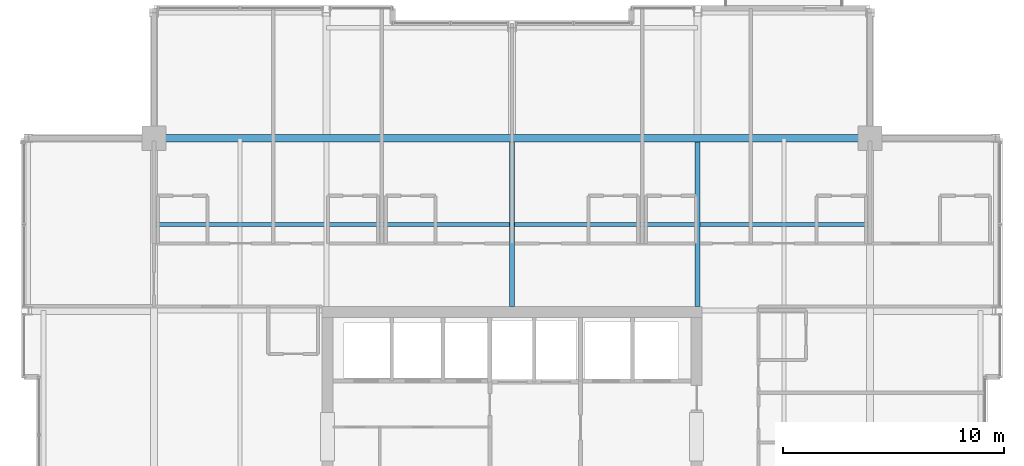
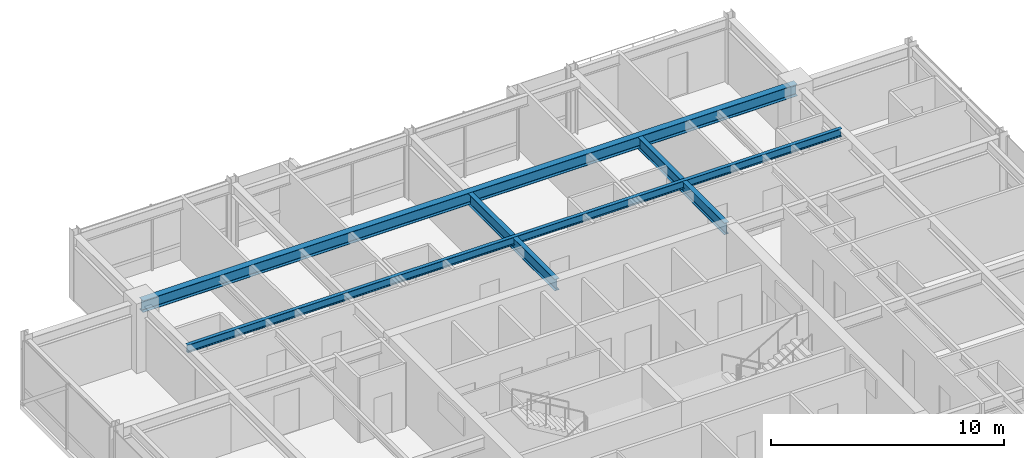
# One storey, part 22 of 33: 4 beams.
"""IFC4 building model written with IfcOpenShell, lengths in metres."""

from ifc_helpers import new_model, si_unit, direction, frame, origin, origin_2d, place, context, subcontext, project, spatial, i_section, extrude, material, material_profile, profile_set, type_object, element, save


model = new_model("IFC4")

# Units and contexts
model_context = context("Model", 3, precision=1e-05, world=origin(), true_north=direction((0.0, 1.0)))
body_context = subcontext(model_context, "Body", "Model", "MODEL_VIEW")
ifc_project = project(units=[si_unit("LENGTHUNIT", "METRE"), si_unit("AREAUNIT", "SQUARE_METRE"), si_unit("VOLUMEUNIT", "CUBIC_METRE"), si_unit("PLANEANGLEUNIT", "RADIAN"), si_unit("MASSUNIT", "GRAM", prefix="KILO")], contexts=[model_context])

# Site, building, storey
site_placement = place(None, origin())
site = spatial("IfcSite", under=ifc_project, at=site_placement, CompositionType="ELEMENT")
building_placement = place(site_placement, origin())
building = spatial("IfcBuilding", under=site, at=building_placement, Name="Drelvath Grand Hotel", CompositionType="ELEMENT")
storey_placement = place(building_placement, frame((0.0, 0.0, 268.64990234375)))
storey = spatial("IfcBuildingStorey", under=building, at=storey_placement, Name="L70", CompositionType="ELEMENT", Elevation=268.64990234375)

# Beams
ifc_material = material(Name="Steel ASTM A992 Gr 50", Category="steel")
ifc_material_profile_1 = material_profile(ifc_material, i_section(OverallWidth=0.177734375, OverallDepth=0.40673828125, WebThickness=0.0078125, FlangeThickness=0.0126953125, FilletRadius=0.014892578125, at=origin_2d()), Name="W16X40")
ifc_profile_set_1 = profile_set([ifc_material_profile_1], Name="Steel ASTM A992 Gr 50")
beam_type_1 = type_object("IfcBeamType", Name="Composite Floor Joist W16X40", PredefinedType="JOIST", material=ifc_profile_set_1)
beam_1_placement = place(storey_placement, frame((-16.199951171875, 39.300048828125, 3.186767578125), z_axis=(1.0, 0.0, 0.0), x_axis=(0.0, 1.0, 0.0)))
element("IfcBeam", 1, at=beam_1_placement, inside=storey, type_object=beam_type_1, Name="L70 Floor Joist J2", PredefinedType="JOIST", context=body_context, shape_type="SweptSolid", body=[
    extrude(i_section(OverallWidth=0.177734375, OverallDepth=0.40673828125, WebThickness=0.0078125, FlangeThickness=0.0126953125, FilletRadius=0.014892578125, at=origin_2d()), origin(), (0.0, 0.0, 1.0), 32.39990234375),
])
ifc_material_profile_2 = material_profile(ifc_material, i_section(OverallWidth=0.323974609375, OverallDepth=0.611083984375, WebThickness=0.0126953125, FlangeThickness=0.01904296875, FilletRadius=0.02197265625, at=origin_2d()), Name="W24X104")
ifc_profile_set_2 = profile_set([ifc_material_profile_2], Name="Steel ASTM A992 Gr 50")
beam_type_2 = type_object("IfcBeamType", Name="Primary Floor Girder W24X104", PredefinedType="BEAM", material=ifc_profile_set_2)
beam_2_placement = place(storey_placement, frame((-16.199951171875, 43.199951171875, 3.084716796875), z_axis=(1.0, 0.0, 0.0), x_axis=(0.0, 1.0, 0.0)))
element("IfcBeam", 2, at=beam_2_placement, inside=storey, type_object=beam_type_2, Name="L70 Mega Ring Girder North", PredefinedType="BEAM", context=body_context, shape_type="SweptSolid", body=[
    extrude(i_section(OverallWidth=0.323974609375, OverallDepth=0.611083984375, WebThickness=0.0126953125, FlangeThickness=0.01904296875, FilletRadius=0.02197265625, at=origin_2d()), origin(), (0.0, 0.0, 1.0), 32.39990234375),
])
ifc_material_profile_3 = material_profile(ifc_material, i_section(OverallWidth=0.228271484375, OverallDepth=0.607666015625, WebThickness=0.01123046875, FlangeThickness=0.017333984375, FilletRadius=0.02001953125, at=origin_2d()), Name="W24X76")
ifc_profile_set_3 = profile_set([ifc_material_profile_3], Name="Steel ASTM A992 Gr 50")
beam_type_3 = type_object("IfcBeamType", Name="Primary Floor Girder W24X76", PredefinedType="BEAM", material=ifc_profile_set_3)
for number, where, z_axis, x_axis, name in (
    (3, (0.0, 35.60009765625, 3.086181640625), (0.0, 1.0, 0.0), (-1.0, 0.0, 0.0), "L70 North Core Tie 5"),
    (4, (8.39990234375, 35.60009765625, 3.086181640625), (0.0, 1.0, 0.0), (-1.0, 0.0, 0.0), "L70 North Core Tie 6"),
):
    element("IfcBeam", number, at=place(storey_placement, frame(where, z_axis=z_axis, x_axis=x_axis)), inside=storey, type_object=beam_type_3, Name=name, PredefinedType="BEAM", context=body_context, shape_type="SweptSolid", body=[
        extrude(i_section(OverallWidth=0.228271484375, OverallDepth=0.607666015625, WebThickness=0.01123046875, FlangeThickness=0.017333984375, FilletRadius=0.02001953125, at=origin_2d()), origin(), (0.0, 0.0, 1.0), 7.43798828125),
    ])

save(model, "model.ifc")
